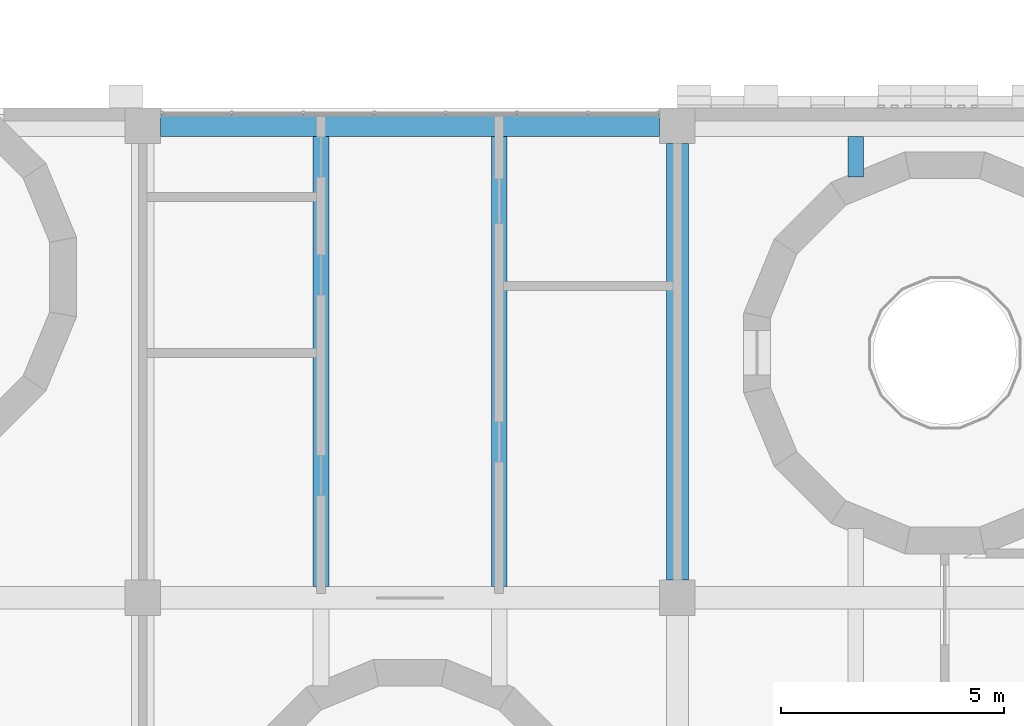
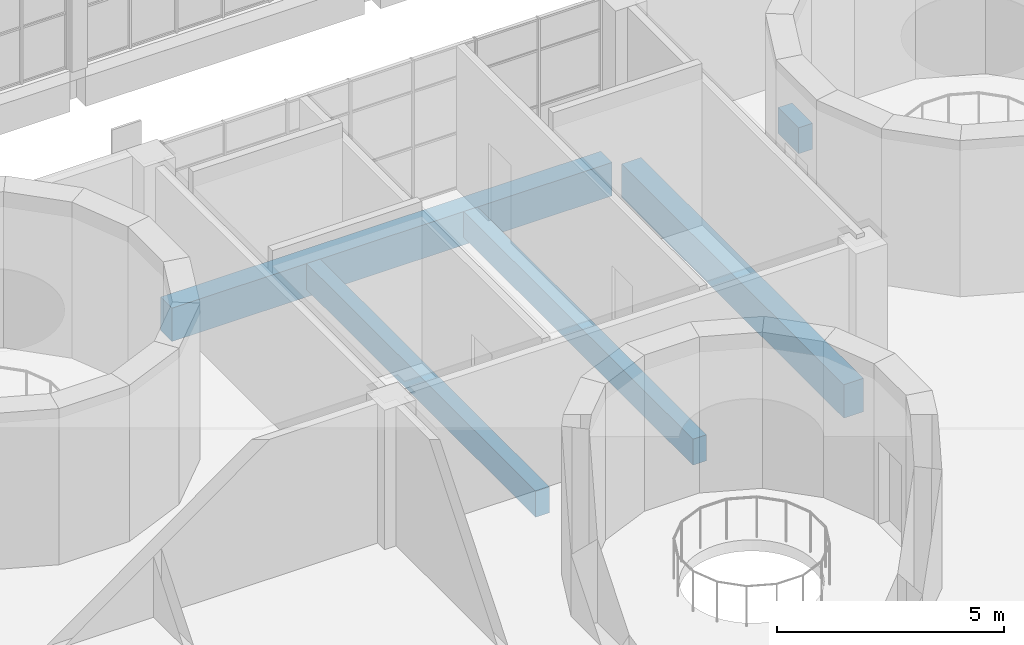
# One storey, part 6 of 92: 5 beams.
"""IFC4 building model written with IfcOpenShell, lengths in metres."""

from ifc_helpers import new_model, si_unit, direction, frame, origin, origin_2d, place, context, subcontext, project, spatial, rectangle, extrude, material, material_profile, profile_set, type_object, element, save


model = new_model("IFC4")

# Units and contexts
model_context = context("Model", 3, precision=1e-05, world=origin(), true_north=direction((0.0, 1.0)))
body_context = subcontext(model_context, "Body", "Model", "MODEL_VIEW")
ifc_project = project(units=[si_unit("LENGTHUNIT", "METRE"), si_unit("AREAUNIT", "SQUARE_METRE"), si_unit("VOLUMEUNIT", "CUBIC_METRE"), si_unit("PLANEANGLEUNIT", "RADIAN"), si_unit("MASSUNIT", "GRAM", prefix="KILO")], contexts=[model_context])

# Site, building, storey
site_placement = place(None, origin())
site = spatial("IfcSite", under=ifc_project, at=site_placement, CompositionType="ELEMENT")
building_placement = place(site_placement, origin())
building = spatial("IfcBuilding", under=site, at=building_placement, Name="Sun Court Science Centre", CompositionType="ELEMENT")
storey_placement = place(building_placement, frame((0.0, 0.0, 11.25)))
storey = spatial("IfcBuildingStorey", under=building, at=storey_placement, Name="L02", CompositionType="ELEMENT", Elevation=11.25)

# Beams
ifc_material_1 = material(Name="Concrete C25/30", Category="concrete")
ifc_material_profile_1 = material_profile(ifc_material_1, rectangle(XDim=0.5, YDim=0.89990234375, at=origin_2d()), Name="RC 500x900")
ifc_profile_set_1 = profile_set([ifc_material_profile_1], Name="Concrete C25/30")
beam_type_1 = type_object("IfcBeamType", Name="RC girder 500x900", PredefinedType="BEAM", material=ifc_profile_set_1)
beam_1_placement = place(storey_placement, frame((48.39990234375, 27.60009765625, -0.75), z_axis=(1.0, 0.0, 0.0), x_axis=(0.0, 1.0, 0.0)))
element("IfcBeam", 1, at=beam_1_placement, inside=storey, type_object=beam_type_1, Name="Girder L02 line 3", PredefinedType="BEAM", context=body_context, shape_type="SweptSolid", body=[
    extrude(rectangle(XDim=0.5, YDim=0.89990234375, at=origin_2d()), origin(), (0.0, 0.0, 1.0), 11.2001953125),
])
beam_2_placement = place(storey_placement, frame((60.0, 17.39990234375, -0.75), z_axis=(0.0, 1.0, 0.0), x_axis=(-1.0, 0.0, 0.0)))
element("IfcBeam", 2, at=beam_2_placement, inside=storey, type_object=beam_type_1, Name="Girder L02 line F", PredefinedType="BEAM", context=body_context, shape_type="SweptSolid", body=[
    extrude(rectangle(XDim=0.5, YDim=0.89990234375, at=origin_2d()), origin(), (0.0, 0.0, 1.0), 9.800048828125),
])
ifc_material_2 = material(Name="Concrete C25/30", Category="concrete")
ifc_material_profile_2 = material_profile(ifc_material_2, rectangle(XDim=0.35009765625, YDim=0.699951171875, at=origin_2d()), Name="RC 350x700")
ifc_profile_set_2 = profile_set([ifc_material_profile_2], Name="Concrete C25/30")
beam_type_2 = type_object("IfcBeamType", Name="RC joist 350x700", PredefinedType="JOIST", material=ifc_profile_set_2)
for number, where, z_axis, x_axis, name in (
    (3, (52.0, 17.25, -0.64990234375), (0.0, 1.0, 0.0), (-1.0, 0.0, 0.0), "Joist L02"),
    (4, (56.0, 17.25, -0.64990234375), (0.0, 1.0, 0.0), (-1.0, 0.0, 0.0), "Joist L02"),
):
    element("IfcBeam", number, at=place(storey_placement, frame(where, z_axis=z_axis, x_axis=x_axis)), inside=storey, type_object=beam_type_2, Name=name, PredefinedType="JOIST", context=body_context, shape_type="SweptSolid", body=[
        extrude(rectangle(XDim=0.35009765625, YDim=0.699951171875, at=origin_2d()), origin(), (0.0, 0.0, 1.0), 10.10009765625),
    ])
beam_3_placement = place(storey_placement, frame((64.0, 26.44677734375, -0.64990234375), z_axis=(0.0, 1.0, 0.0), x_axis=(-1.0, 0.0, 0.0)))
element("IfcBeam", 5, at=beam_3_placement, inside=storey, type_object=beam_type_2, Name="Joist L02", PredefinedType="JOIST", context=body_context, shape_type="SweptSolid", body=[
    extrude(rectangle(XDim=0.35009765625, YDim=0.699951171875, at=origin_2d()), origin(), (0.0, 0.0, 1.0), 0.9033203125),
])

save(model, "model.ifc")
